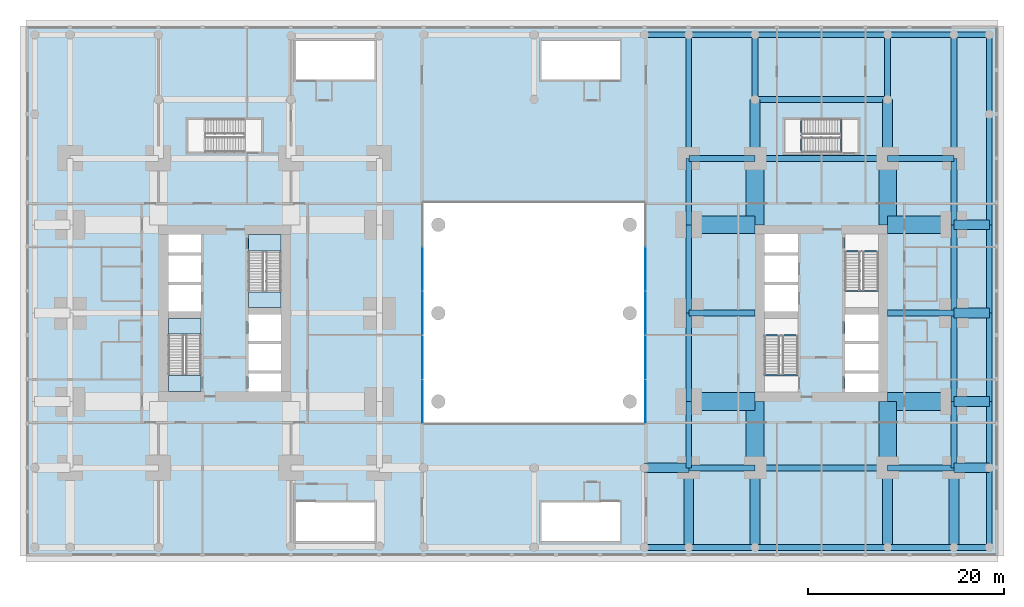
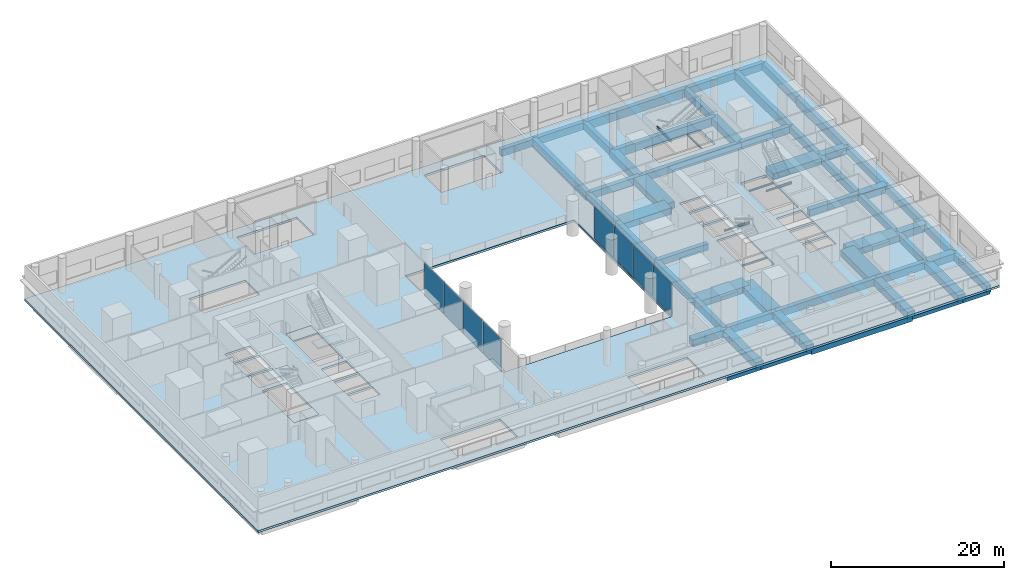
# One storey, part 7 of 20: 62 beams, 8 plates, 5 slabs, 4 elements without a shape of their own.
"""IFC4 building model written with IfcOpenShell, lengths in metres."""

from ifc_helpers import new_model, si_unit, direction, frame, origin, origin_2d, place, context, subcontext, project, spatial, polyline, rectangle, i_section, outline, extrude, material, layer, layer_set, material_profile, profile_set, type_object, element, aggregate, save


model = new_model("IFC4")

# Units and contexts
model_context = context("Model", 3, precision=1e-05, world=origin(), true_north=direction((0.0, 1.0)))
body_context = subcontext(model_context, "Body", "Model", "MODEL_VIEW")
ifc_project = project(units=[si_unit("LENGTHUNIT", "METRE"), si_unit("AREAUNIT", "SQUARE_METRE"), si_unit("VOLUMEUNIT", "CUBIC_METRE"), si_unit("PLANEANGLEUNIT", "RADIAN"), si_unit("MASSUNIT", "GRAM", prefix="KILO")], contexts=[model_context])

# Site, building, storey
site_placement = place(None, origin())
site = spatial("IfcSite", under=ifc_project, at=site_placement, CompositionType="ELEMENT")
building_placement = place(site_placement, origin())
building = spatial("IfcBuilding", under=site, at=building_placement, Name="Namib Vertical Campus", CompositionType="ELEMENT")
storey_placement = place(building_placement, frame((0.0, 0.0, 16.0)))
storey = spatial("IfcBuildingStorey", under=building, at=storey_placement, Name="L03", CompositionType="ELEMENT", Elevation=16.0)

# Beams
ifc_material_1 = material(Name="Concrete C40/50", Category="concrete")
ifc_material_profile_1 = material_profile(ifc_material_1, rectangle(XDim=0.60009765625, YDim=0.89990234375, at=origin_2d()))
ifc_profile_set_1 = profile_set([ifc_material_profile_1], Name="Concrete C40/50")
beam_type_1 = type_object("IfcBeamType", Name="Floor girder RC 600x900", PredefinedType="BEAM", material=ifc_profile_set_1)
for number, where, z_axis, x_axis, name in (
    (1, (67.5, 20.25, -0.75), (1.0, 0.0, 0.0), (0.0, 1.0, 0.0), "Beam B2 L03"),
    (2, (94.5, 20.25, -0.75), (-1.0, 0.0, 0.0), (0.0, -1.0, 0.0), "Beam B2 L03"),
):
    element("IfcBeam", number, at=place(storey_placement, frame(where, z_axis=z_axis, x_axis=x_axis)), inside=storey, type_object=beam_type_1, Name=name, PredefinedType="BEAM", context=body_context, shape_type="SweptSolid", body=[
        extrude(rectangle(XDim=0.60009765625, YDim=0.89990234375, at=origin_2d()), origin(), (0.0, 0.0, 1.0), 6.75),
    ])
ifc_material_2 = material(Name="Steel S355JR", Category="steel")
ifc_material_profile_2 = material_profile(ifc_material_2, i_section(OverallWidth=0.14599609375, OverallDepth=0.25146484375, WebThickness=0.006103515625, FlangeThickness=0.008544921875, FilletRadius=0.007568359375, at=origin_2d()))
ifc_profile_set_2 = profile_set([ifc_material_profile_2], Name="Steel S355JR")
beam_type_2 = type_object("IfcBeamType", Name="Landing trimmer UB 254x146x31", PredefinedType="BEAM", material=ifc_profile_set_2)
for number, where, z_axis, x_axis, name in (
    (3, (75.199951171875, 13.927001953125, -0.125732421875), (1.0, 0.0, 0.0), (0.0, 1.0, 0.0), "Landing trimmer LT1 B-S1 L03 1"),
    (4, (75.199951171875, 17.9931640625, 2.374267578125), (1.0, 0.0, 0.0), (0.0, 1.0, 0.0), "Landing trimmer LT1 B-S1 L03 2"),
    (5, (83.39990234375, 26.572998046875, -0.125732421875), (1.0, 0.0, 0.0), (0.0, 1.0, 0.0), "Landing trimmer LT1 B-S2 L03 1"),
    (6, (83.39990234375, 22.5068359375, 2.374267578125), (1.0, 0.0, 0.0), (0.0, 1.0, 0.0), "Landing trimmer LT1 B-S2 L03 2"),
):
    element("IfcBeam", number, at=place(storey_placement, frame(where, z_axis=z_axis, x_axis=x_axis)), inside=storey, type_object=beam_type_2, Name=name, PredefinedType="BEAM", context=body_context, shape_type="SweptSolid", body=[
        extrude(i_section(OverallWidth=0.14599609375, OverallDepth=0.25146484375, WebThickness=0.006103515625, FlangeThickness=0.008544921875, FilletRadius=0.007568359375, at=origin_2d()), origin(), (0.0, 0.0, 1.0), 3.400146484375),
    ])
for number, where, z_axis, x_axis, name in (
    (7, (83.02294921875, 36.60009765625, -0.125732421875), (0.0, 1.0, 0.0), (-1.0, 0.0, 0.0), "Landing trimmer LT1 B-S3 L03 1"),
    (8, (78.95703125, 36.60009765625, 2.374267578125), (0.0, 1.0, 0.0), (-1.0, 0.0, 0.0), "Landing trimmer LT1 B-S3 L03 2"),
):
    element("IfcBeam", number, at=place(storey_placement, frame(where, z_axis=z_axis, x_axis=x_axis)), inside=storey, type_object=beam_type_2, Name=name, PredefinedType="BEAM", context=body_context, shape_type="SweptSolid", body=[
        extrude(i_section(OverallWidth=0.14599609375, OverallDepth=0.25146484375, WebThickness=0.006103515625, FlangeThickness=0.008544921875, FilletRadius=0.007568359375, at=origin_2d()), origin(), (0.0, 0.0, 1.0), 3.39990234375),
    ])
ifc_material_3 = material(Name="Concrete C40/50", Category="concrete")
ifc_material_profile_3 = material_profile(ifc_material_3, rectangle(XDim=0.60009765625, YDim=1.199951171875, at=origin_2d()))
ifc_profile_set_3 = profile_set([ifc_material_profile_3], Name="Concrete C40/50")
beam_type_3 = type_object("IfcBeamType", Name="Long-span podium beam RC 600x1200", PredefinedType="BEAM", material=ifc_profile_set_3)
for number, where, z_axis, x_axis, name in (
    (9, (67.5, 36.0, -0.89990234375), (0.0, 1.0, 0.0), (-1.0, 0.0, 0.0), "Beam PB4 L03"),
    (10, (94.5, 36.0, -0.89990234375), (0.0, 1.0, 0.0), (-1.0, 0.0, 0.0), "Beam PB4 L03"),
):
    element("IfcBeam", number, at=place(storey_placement, frame(where, z_axis=z_axis, x_axis=x_axis)), inside=storey, type_object=beam_type_3, Name=name, PredefinedType="BEAM", context=body_context, shape_type="SweptSolid", body=[
        extrude(rectangle(XDim=0.60009765625, YDim=1.199951171875, at=origin_2d()), origin(), (0.0, 0.0, 1.0), 12.60009765625),
    ])
beam_1_placement = place(storey_placement, frame((98.10009765625, 29.25, -0.89990234375), z_axis=(0.0, 1.0, 0.0), x_axis=(-1.0, 0.0, 0.0)))
element("IfcBeam", 11, at=beam_1_placement, inside=storey, type_object=beam_type_3, Name="Beam PB4 L03", PredefinedType="BEAM", context=body_context, shape_type="SweptSolid", body=[
    extrude(rectangle(XDim=0.60009765625, YDim=1.199951171875, at=origin_2d()), origin(), (0.0, 0.0, 1.0), 11.25),
])
for number, where, z_axis, x_axis, name in (
    (12, (74.25, -3.60009765625, -0.89990234375), (1.0, 0.0, 0.0), (0.0, 1.0, 0.0), "Beam PB4 L03"),
    (13, (74.25, 42.0, -0.89990234375), (1.0, 0.0, 0.0), (0.0, 1.0, 0.0), "Beam PB4 L03"),
    (14, (74.25, 48.60009765625, -0.89990234375), (1.0, 0.0, 0.0), (0.0, 1.0, 0.0), "Beam PB4 L03"),
):
    element("IfcBeam", number, at=place(storey_placement, frame(where, z_axis=z_axis, x_axis=x_axis)), inside=storey, type_object=beam_type_3, Name=name, PredefinedType="BEAM", context=body_context, shape_type="SweptSolid", body=[
        extrude(rectangle(XDim=0.60009765625, YDim=1.199951171875, at=origin_2d()), origin(), (0.0, 0.0, 1.0), 13.5),
    ])
ifc_material_4 = material(Name="Concrete C40/50", Category="concrete")
ifc_material_profile_4 = material_profile(ifc_material_4, rectangle(XDim=1.800048828125, YDim=0.89990234375, at=origin_2d()))
ifc_profile_set_4 = profile_set([ifc_material_profile_4], Name="Concrete C40/50")
beam_type_4 = type_object("IfcBeamType", Name="Outrigger line girder RC 1800x900", PredefinedType="BEAM", material=ifc_profile_set_4)
for number, where, z_axis, x_axis, name in (
    (15, (74.25, 4.5, -0.75), (0.0, 1.0, 0.0), (-1.0, 0.0, 0.0), "Beam B12 L03"),
    (16, (74.25, 36.0, -0.75), (0.0, -1.0, 0.0), (1.0, 0.0, 0.0), "Beam B12 L03"),
    (17, (87.75, 4.5, -0.75), (0.0, 1.0, 0.0), (-1.0, 0.0, 0.0), "Beam B12 L03"),
    (18, (87.75, 36.0, -0.75), (0.0, -1.0, 0.0), (1.0, 0.0, 0.0), "Beam B12 L03"),
    (19, (67.5, 11.25, -0.75), (1.0, 0.0, 0.0), (0.0, 1.0, 0.0), "Beam B12 L03"),
    (20, (94.5, 11.25, -0.75), (-1.0, 0.0, 0.0), (0.0, -1.0, 0.0), "Beam B12 L03"),
    (21, (67.5, 29.25, -0.75), (1.0, 0.0, 0.0), (0.0, 1.0, 0.0), "Beam B12 L03"),
    (22, (94.5, 29.25, -0.75), (-1.0, 0.0, 0.0), (0.0, -1.0, 0.0), "Beam B12 L03"),
):
    element("IfcBeam", number, at=place(storey_placement, frame(where, z_axis=z_axis, x_axis=x_axis)), inside=storey, type_object=beam_type_4, Name=name, PredefinedType="BEAM", context=body_context, shape_type="SweptSolid", body=[
        extrude(rectangle(XDim=1.800048828125, YDim=0.89990234375, at=origin_2d()), origin(), (0.0, 0.0, 1.0), 6.75),
    ])
ifc_material_5 = material(Name="Concrete C40/50", Category="concrete")
ifc_material_profile_5 = material_profile(ifc_material_5, rectangle(XDim=0.60009765625, YDim=1.0, at=origin_2d()))
ifc_profile_set_5 = profile_set([ifc_material_profile_5], Name="Concrete C40/50")
beam_type_5 = type_object("IfcBeamType", Name="Podium beam RC 600x1000", PredefinedType="BEAM", material=ifc_profile_set_5)
for number, where, z_axis, x_axis, name in (
    (23, (74.25, 42.0, -0.800048828125), (0.0, 1.0, 0.0), (-1.0, 0.0, 0.0), "Beam PB1 L03"),
    (24, (87.75, 42.0, -0.800048828125), (0.0, 1.0, 0.0), (-1.0, 0.0, 0.0), "Beam PB1 L03"),
):
    element("IfcBeam", number, at=place(storey_placement, frame(where, z_axis=z_axis, x_axis=x_axis)), inside=storey, type_object=beam_type_5, Name=name, PredefinedType="BEAM", context=body_context, shape_type="SweptSolid", body=[
        extrude(rectangle(XDim=0.60009765625, YDim=1.0, at=origin_2d()), origin(), (0.0, 0.0, 1.0), 6.60009765625),
    ])
beam_2_placement = place(storey_placement, frame((98.10009765625, -3.60009765625, -0.800048828125), z_axis=(0.0, 1.0, 0.0), x_axis=(-1.0, 0.0, 0.0)))
element("IfcBeam", 25, at=beam_2_placement, inside=storey, type_object=beam_type_5, Name="Beam PB1 L03", PredefinedType="BEAM", context=body_context, shape_type="SweptSolid", body=[
    extrude(rectangle(XDim=0.60009765625, YDim=1.0, at=origin_2d()), origin(), (0.0, 0.0, 1.0), 8.10009765625),
])
beam_3_placement = place(storey_placement, frame((98.10009765625, 4.5, -0.800048828125), z_axis=(0.0, 1.0, 0.0), x_axis=(-1.0, 0.0, 0.0)))
element("IfcBeam", 26, at=beam_3_placement, inside=storey, type_object=beam_type_5, Name="Beam PB1 L03", PredefinedType="BEAM", context=body_context, shape_type="SweptSolid", body=[
    extrude(rectangle(XDim=0.60009765625, YDim=1.0, at=origin_2d()), origin(), (0.0, 0.0, 1.0), 6.75),
])
for number, where, z_axis, x_axis, name in (
    (27, (98.10009765625, 11.25, -0.800048828125), (0.0, 1.0, 0.0), (-1.0, 0.0, 0.0), "Beam PB1 L03"),
    (28, (98.10009765625, 20.25, -0.800048828125), (0.0, 1.0, 0.0), (-1.0, 0.0, 0.0), "Beam PB1 L03"),
):
    element("IfcBeam", number, at=place(storey_placement, frame(where, z_axis=z_axis, x_axis=x_axis)), inside=storey, type_object=beam_type_5, Name=name, PredefinedType="BEAM", context=body_context, shape_type="SweptSolid", body=[
        extrude(rectangle(XDim=0.60009765625, YDim=1.0, at=origin_2d()), origin(), (0.0, 0.0, 1.0), 9.0),
    ])
beam_4_placement = place(storey_placement, frame((98.10009765625, 40.5, -0.800048828125), z_axis=(0.0, 1.0, 0.0), x_axis=(-1.0, 0.0, 0.0)))
element("IfcBeam", 29, at=beam_4_placement, inside=storey, type_object=beam_type_5, Name="Beam PB1 L03", PredefinedType="BEAM", context=body_context, shape_type="SweptSolid", body=[
    extrude(rectangle(XDim=0.60009765625, YDim=1.0, at=origin_2d()), origin(), (0.0, 0.0, 1.0), 8.10009765625),
])
beam_5_placement = place(storey_placement, frame((63.0, -3.60009765625, -0.800048828125), z_axis=(1.0, 0.0, 0.0), x_axis=(0.0, 1.0, 0.0)))
element("IfcBeam", 30, at=beam_5_placement, inside=storey, type_object=beam_type_5, Name="Beam PB1 L03", PredefinedType="BEAM", context=body_context, shape_type="SweptSolid", body=[
    extrude(rectangle(XDim=0.60009765625, YDim=1.0, at=origin_2d()), origin(), (0.0, 0.0, 1.0), 4.5),
])
for number, where, z_axis, x_axis, name in (
    (31, (67.5, -3.60009765625, -0.800048828125), (1.0, 0.0, 0.0), (0.0, 1.0, 0.0), "Beam PB1 L03"),
    (32, (87.75, -3.60009765625, -0.800048828125), (1.0, 0.0, 0.0), (0.0, 1.0, 0.0), "Beam PB1 L03"),
):
    element("IfcBeam", number, at=place(storey_placement, frame(where, z_axis=z_axis, x_axis=x_axis)), inside=storey, type_object=beam_type_5, Name=name, PredefinedType="BEAM", context=body_context, shape_type="SweptSolid", body=[
        extrude(rectangle(XDim=0.60009765625, YDim=1.0, at=origin_2d()), origin(), (0.0, 0.0, 1.0), 6.75),
    ])
beam_6_placement = place(storey_placement, frame((94.5, -3.60009765625, -0.800048828125), z_axis=(1.0, 0.0, 0.0), x_axis=(0.0, 1.0, 0.0)))
element("IfcBeam", 33, at=beam_6_placement, inside=storey, type_object=beam_type_5, Name="Beam PB1 L03", PredefinedType="BEAM", context=body_context, shape_type="SweptSolid", body=[
    extrude(rectangle(XDim=0.60009765625, YDim=1.0, at=origin_2d()), origin(), (0.0, 0.0, 1.0), 3.60009765625),
])
beam_7_placement = place(storey_placement, frame((63.0, 48.60009765625, -0.800048828125), z_axis=(1.0, 0.0, 0.0), x_axis=(0.0, 1.0, 0.0)))
element("IfcBeam", 34, at=beam_7_placement, inside=storey, type_object=beam_type_5, Name="Beam PB1 L03", PredefinedType="BEAM", context=body_context, shape_type="SweptSolid", body=[
    extrude(rectangle(XDim=0.60009765625, YDim=1.0, at=origin_2d()), origin(), (0.0, 0.0, 1.0), 4.5),
])
for number, where, z_axis, x_axis, name in (
    (35, (67.5, 48.60009765625, -0.800048828125), (1.0, 0.0, 0.0), (0.0, 1.0, 0.0), "Beam PB1 L03"),
    (36, (87.75, 48.60009765625, -0.800048828125), (1.0, 0.0, 0.0), (0.0, 1.0, 0.0), "Beam PB1 L03"),
):
    element("IfcBeam", number, at=place(storey_placement, frame(where, z_axis=z_axis, x_axis=x_axis)), inside=storey, type_object=beam_type_5, Name=name, PredefinedType="BEAM", context=body_context, shape_type="SweptSolid", body=[
        extrude(rectangle(XDim=0.60009765625, YDim=1.0, at=origin_2d()), origin(), (0.0, 0.0, 1.0), 6.75),
    ])
beam_8_placement = place(storey_placement, frame((94.5, 48.60009765625, -0.800048828125), z_axis=(1.0, 0.0, 0.0), x_axis=(0.0, 1.0, 0.0)))
element("IfcBeam", 37, at=beam_8_placement, inside=storey, type_object=beam_type_5, Name="Beam PB1 L03", PredefinedType="BEAM", context=body_context, shape_type="SweptSolid", body=[
    extrude(rectangle(XDim=0.60009765625, YDim=1.0, at=origin_2d()), origin(), (0.0, 0.0, 1.0), 3.60009765625),
])
ifc_material_6 = material(Name="Concrete C40/50", Category="concrete")
ifc_material_profile_6 = material_profile(ifc_material_6, rectangle(XDim=0.60009765625, YDim=1.0, at=origin_2d()))
ifc_profile_set_6 = profile_set([ifc_material_profile_6], Name="Concrete C40/50")
beam_type_6 = type_object("IfcBeamType", Name="Podium ring beam RC 600x1000", PredefinedType="BEAM", material=ifc_profile_set_6)
beam_9_placement = place(storey_placement, frame((67.5, 4.5, -0.800048828125), z_axis=(1.0, 0.0, 0.0), x_axis=(0.0, 1.0, 0.0)))
element("IfcBeam", 38, at=beam_9_placement, inside=storey, type_object=beam_type_6, Name="Beam B6 L03", PredefinedType="BEAM", context=body_context, shape_type="SweptSolid", body=[
    extrude(rectangle(XDim=0.60009765625, YDim=1.0, at=origin_2d()), origin(), (0.0, 0.0, 1.0), 6.75),
])
beam_10_placement = place(storey_placement, frame((74.25, 4.5, -0.800048828125), z_axis=(1.0, 0.0, 0.0), x_axis=(0.0, 1.0, 0.0)))
element("IfcBeam", 39, at=beam_10_placement, inside=storey, type_object=beam_type_6, Name="Beam B6 L03", PredefinedType="BEAM", context=body_context, shape_type="SweptSolid", body=[
    extrude(rectangle(XDim=0.60009765625, YDim=1.0, at=origin_2d()), origin(), (0.0, 0.0, 1.0), 13.5),
])
for number, where, z_axis, x_axis, name in (
    (40, (87.75, 4.5, -0.800048828125), (1.0, 0.0, 0.0), (0.0, 1.0, 0.0), "Beam B6 L03"),
    (41, (67.5, 36.0, -0.800048828125), (1.0, 0.0, 0.0), (0.0, 1.0, 0.0), "Beam B6 L03"),
):
    element("IfcBeam", number, at=place(storey_placement, frame(where, z_axis=z_axis, x_axis=x_axis)), inside=storey, type_object=beam_type_6, Name=name, PredefinedType="BEAM", context=body_context, shape_type="SweptSolid", body=[
        extrude(rectangle(XDim=0.60009765625, YDim=1.0, at=origin_2d()), origin(), (0.0, 0.0, 1.0), 6.75),
    ])
beam_11_placement = place(storey_placement, frame((74.25, 36.0, -0.800048828125), z_axis=(1.0, 0.0, 0.0), x_axis=(0.0, 1.0, 0.0)))
element("IfcBeam", 42, at=beam_11_placement, inside=storey, type_object=beam_type_6, Name="Beam B6 L03", PredefinedType="BEAM", context=body_context, shape_type="SweptSolid", body=[
    extrude(rectangle(XDim=0.60009765625, YDim=1.0, at=origin_2d()), origin(), (0.0, 0.0, 1.0), 13.5),
])
for number, where, z_axis, x_axis, name in (
    (43, (87.75, 36.0, -0.800048828125), (1.0, 0.0, 0.0), (0.0, 1.0, 0.0), "Beam B6 L03"),
    (44, (67.5, 4.5, -0.800048828125), (0.0, 1.0, 0.0), (-1.0, 0.0, 0.0), "Beam B6 L03"),
):
    element("IfcBeam", number, at=place(storey_placement, frame(where, z_axis=z_axis, x_axis=x_axis)), inside=storey, type_object=beam_type_6, Name=name, PredefinedType="BEAM", context=body_context, shape_type="SweptSolid", body=[
        extrude(rectangle(XDim=0.60009765625, YDim=1.0, at=origin_2d()), origin(), (0.0, 0.0, 1.0), 6.75),
    ])
for number, where, z_axis, x_axis, name in (
    (45, (67.5, 11.25, -0.800048828125), (0.0, 1.0, 0.0), (-1.0, 0.0, 0.0), "Beam B6 L03"),
    (46, (67.5, 20.25, -0.800048828125), (0.0, 1.0, 0.0), (-1.0, 0.0, 0.0), "Beam B6 L03"),
):
    element("IfcBeam", number, at=place(storey_placement, frame(where, z_axis=z_axis, x_axis=x_axis)), inside=storey, type_object=beam_type_6, Name=name, PredefinedType="BEAM", context=body_context, shape_type="SweptSolid", body=[
        extrude(rectangle(XDim=0.60009765625, YDim=1.0, at=origin_2d()), origin(), (0.0, 0.0, 1.0), 9.0),
    ])
for number, where, z_axis, x_axis, name in (
    (47, (67.5, 29.25, -0.800048828125), (0.0, 1.0, 0.0), (-1.0, 0.0, 0.0), "Beam B6 L03"),
    (48, (94.5, 4.5, -0.800048828125), (0.0, 1.0, 0.0), (-1.0, 0.0, 0.0), "Beam B6 L03"),
):
    element("IfcBeam", number, at=place(storey_placement, frame(where, z_axis=z_axis, x_axis=x_axis)), inside=storey, type_object=beam_type_6, Name=name, PredefinedType="BEAM", context=body_context, shape_type="SweptSolid", body=[
        extrude(rectangle(XDim=0.60009765625, YDim=1.0, at=origin_2d()), origin(), (0.0, 0.0, 1.0), 6.75),
    ])
for number, where, z_axis, x_axis, name in (
    (49, (94.5, 11.25, -0.800048828125), (0.0, 1.0, 0.0), (-1.0, 0.0, 0.0), "Beam B6 L03"),
    (50, (94.5, 20.25, -0.800048828125), (0.0, 1.0, 0.0), (-1.0, 0.0, 0.0), "Beam B6 L03"),
):
    element("IfcBeam", number, at=place(storey_placement, frame(where, z_axis=z_axis, x_axis=x_axis)), inside=storey, type_object=beam_type_6, Name=name, PredefinedType="BEAM", context=body_context, shape_type="SweptSolid", body=[
        extrude(rectangle(XDim=0.60009765625, YDim=1.0, at=origin_2d()), origin(), (0.0, 0.0, 1.0), 9.0),
    ])
beam_12_placement = place(storey_placement, frame((94.5, 29.25, -0.800048828125), z_axis=(0.0, 1.0, 0.0), x_axis=(-1.0, 0.0, 0.0)))
element("IfcBeam", 51, at=beam_12_placement, inside=storey, type_object=beam_type_6, Name="Beam B6 L03", PredefinedType="BEAM", context=body_context, shape_type="SweptSolid", body=[
    extrude(rectangle(XDim=0.60009765625, YDim=1.0, at=origin_2d()), origin(), (0.0, 0.0, 1.0), 6.75),
])
ifc_material_7 = material(Name="Concrete C40/50", Category="concrete")
ifc_material_profile_7 = material_profile(ifc_material_7, rectangle(XDim=1.0, YDim=1.0, at=origin_2d()))
ifc_profile_set_7 = profile_set([ifc_material_profile_7], Name="Concrete C40/50")
beam_type_7 = type_object("IfcBeamType", Name="Podium tie beam RC 1000x1000", PredefinedType="BEAM", material=ifc_profile_set_7)
for number, where, z_axis, x_axis, name in (
    (52, (67.5, -3.60009765625, -0.800048828125), (0.0, 1.0, 0.0), (-1.0, 0.0, 0.0), "Beam PB3 L03"),
    (53, (74.25, -3.60009765625, -0.800048828125), (0.0, 1.0, 0.0), (-1.0, 0.0, 0.0), "Beam PB3 L03"),
):
    element("IfcBeam", number, at=place(storey_placement, frame(where, z_axis=z_axis, x_axis=x_axis)), inside=storey, type_object=beam_type_7, Name=name, PredefinedType="BEAM", context=body_context, shape_type="SweptSolid", body=[
        extrude(rectangle(XDim=1.0, YDim=1.0, at=origin_2d()), origin(), (0.0, 0.0, 1.0), 8.10009765625),
    ])
beam_13_placement = place(storey_placement, frame((74.25, 36.0, -0.800048828125), z_axis=(0.0, 1.0, 0.0), x_axis=(-1.0, 0.0, 0.0)))
element("IfcBeam", 54, at=beam_13_placement, inside=storey, type_object=beam_type_7, Name="Beam PB3 L03", PredefinedType="BEAM", context=body_context, shape_type="SweptSolid", body=[
    extrude(rectangle(XDim=1.0, YDim=1.0, at=origin_2d()), origin(), (0.0, 0.0, 1.0), 6.0),
])
beam_14_placement = place(storey_placement, frame((87.75, -3.60009765625, -0.800048828125), z_axis=(0.0, 1.0, 0.0), x_axis=(-1.0, 0.0, 0.0)))
element("IfcBeam", 55, at=beam_14_placement, inside=storey, type_object=beam_type_7, Name="Beam PB3 L03", PredefinedType="BEAM", context=body_context, shape_type="SweptSolid", body=[
    extrude(rectangle(XDim=1.0, YDim=1.0, at=origin_2d()), origin(), (0.0, 0.0, 1.0), 8.10009765625),
])
beam_15_placement = place(storey_placement, frame((87.75, 36.0, -0.800048828125), z_axis=(0.0, 1.0, 0.0), x_axis=(-1.0, 0.0, 0.0)))
element("IfcBeam", 56, at=beam_15_placement, inside=storey, type_object=beam_type_7, Name="Beam PB3 L03", PredefinedType="BEAM", context=body_context, shape_type="SweptSolid", body=[
    extrude(rectangle(XDim=1.0, YDim=1.0, at=origin_2d()), origin(), (0.0, 0.0, 1.0), 6.0),
])
beam_16_placement = place(storey_placement, frame((94.5, -3.60009765625, -0.800048828125), z_axis=(0.0, 1.0, 0.0), x_axis=(-1.0, 0.0, 0.0)))
element("IfcBeam", 57, at=beam_16_placement, inside=storey, type_object=beam_type_7, Name="Beam PB3 L03", PredefinedType="BEAM", context=body_context, shape_type="SweptSolid", body=[
    extrude(rectangle(XDim=1.0, YDim=1.0, at=origin_2d()), origin(), (0.0, 0.0, 1.0), 8.10009765625),
])
beam_17_placement = place(storey_placement, frame((63.0, 4.5, -0.800048828125), z_axis=(1.0, 0.0, 0.0), x_axis=(0.0, 1.0, 0.0)))
element("IfcBeam", 58, at=beam_17_placement, inside=storey, type_object=beam_type_7, Name="Beam PB3 L03", PredefinedType="BEAM", context=body_context, shape_type="SweptSolid", body=[
    extrude(rectangle(XDim=1.0, YDim=1.0, at=origin_2d()), origin(), (0.0, 0.0, 1.0), 4.5),
])
for number, where, z_axis, x_axis, name in (
    (59, (94.5, 4.5, -0.800048828125), (1.0, 0.0, 0.0), (0.0, 1.0, 0.0), "Beam PB3 L03"),
    (60, (94.5, 11.25, -0.800048828125), (1.0, 0.0, 0.0), (0.0, 1.0, 0.0), "Beam PB3 L03"),
    (61, (94.5, 20.25, -0.800048828125), (1.0, 0.0, 0.0), (0.0, 1.0, 0.0), "Beam PB3 L03"),
    (62, (94.5, 29.25, -0.800048828125), (1.0, 0.0, 0.0), (0.0, 1.0, 0.0), "Beam PB3 L03"),
):
    element("IfcBeam", number, at=place(storey_placement, frame(where, z_axis=z_axis, x_axis=x_axis)), inside=storey, type_object=beam_type_7, Name=name, PredefinedType="BEAM", context=body_context, shape_type="SweptSolid", body=[
        extrude(rectangle(XDim=1.0, YDim=1.0, at=origin_2d()), origin(), (0.0, 0.0, 1.0), 3.60009765625),
    ])

# Curtain wall, plates
ifc_material_8 = material(Name="Black aluminium curtain wall", Category="aluminium")
ifc_layer_1 = layer(ifc_material_8, 0.199951171875)
ifc_layer_set_1 = layer_set([ifc_layer_1], Name="Atrium screen curtain wall CW-AT")
curtain_wall_type = type_object("IfcCurtainWallType", Name="Atrium screen curtain wall CW-AT", PredefinedType="USERDEFINED", material=ifc_layer_set_1)
curtain_wall_1_placement = place(storey_placement, origin())
curtain_wall_1 = element("IfcCurtainWall", 63, at=curtain_wall_1_placement, inside=storey, type_object=curtain_wall_type, Name="Curtain wall CW-AT atrium A L03 1", ObjectType="CURTAIN WALL", PredefinedType="USERDEFINED")
ifc_material_9 = material(Name="Dark tinted glass", Category="glass")
ifc_layer_2 = layer(ifc_material_9, 0.028076171875)
ifc_layer_set_2 = layer_set([ifc_layer_2], Name="Dark solar glass panel 28")
plate_type = type_object("IfcPlateType", Name="Dark solar glass panel 28", PredefinedType="CURTAIN_PANEL", material=ifc_layer_set_2)
plate_1_placement = place(storey_placement, frame((40.39990234375, 11.264892578125, 0.06005859375), z_axis=(0.0, 0.0, 1.0), x_axis=(0.0, 1.0, 0.0)))
plate_1 = element("IfcPlate", 64, at=plate_1_placement, type_object=plate_type, Name="CW-AT panel 1.1", PredefinedType="CURTAIN_PANEL", context=body_context, shape_type="SweptSolid", body=[
    extrude(rectangle(XDim=4.409912109375, YDim=0.028076171875, at=origin_2d()), origin(), (0.0, 0.0, 1.0), 4.580078125),
])
plate_2_placement = place(storey_placement, frame((40.39990234375, 15.75, 0.06005859375), z_axis=(0.0, 0.0, 1.0), x_axis=(0.0, 1.0, 0.0)))
plate_2 = element("IfcPlate", 65, at=plate_2_placement, type_object=plate_type, Name="CW-AT panel 2.1", PredefinedType="CURTAIN_PANEL", context=body_context, shape_type="SweptSolid", body=[
    extrude(rectangle(XDim=4.43994140625, YDim=0.028076171875, at=origin_2d()), origin(), (0.0, 0.0, 1.0), 4.580078125),
])
plate_3_placement = place(storey_placement, frame((40.39990234375, 20.25, 0.06005859375), z_axis=(0.0, 0.0, 1.0), x_axis=(0.0, 1.0, 0.0)))
plate_3 = element("IfcPlate", 66, at=plate_3_placement, type_object=plate_type, Name="CW-AT panel 3.1", PredefinedType="CURTAIN_PANEL", context=body_context, shape_type="SweptSolid", body=[
    extrude(rectangle(XDim=4.43994140625, YDim=0.028076171875, at=origin_2d()), origin(), (0.0, 0.0, 1.0), 4.580078125),
])
plate_4_placement = place(storey_placement, frame((40.39990234375, 24.75, 0.06005859375), z_axis=(0.0, 0.0, 1.0), x_axis=(0.0, 1.0, 0.0)))
plate_4 = element("IfcPlate", 67, at=plate_4_placement, type_object=plate_type, Name="CW-AT panel 4.1", PredefinedType="CURTAIN_PANEL", context=body_context, shape_type="SweptSolid", body=[
    extrude(rectangle(XDim=4.43994140625, YDim=0.028076171875, at=origin_2d()), origin(), (0.0, 0.0, 1.0), 4.580078125),
])
aggregate(curtain_wall_1, [plate_1, plate_2, plate_3, plate_4])

curtain_wall_2_placement = place(storey_placement, origin())
curtain_wall_2 = element("IfcCurtainWall", 68, at=curtain_wall_2_placement, inside=storey, type_object=curtain_wall_type, Name="Curtain wall CW-AT atrium B L03 1", ObjectType="CURTAIN WALL", PredefinedType="USERDEFINED")
plate_5_placement = place(storey_placement, frame((63.10009765625, 11.264892578125, 0.06005859375), z_axis=(0.0, 0.0, 1.0), x_axis=(0.0, 1.0, 0.0)))
plate_5 = element("IfcPlate", 69, at=plate_5_placement, type_object=plate_type, Name="CW-AT panel 1.1", PredefinedType="CURTAIN_PANEL", context=body_context, shape_type="SweptSolid", body=[
    extrude(rectangle(XDim=4.409912109375, YDim=0.028076171875, at=origin_2d()), origin(), (0.0, 0.0, 1.0), 4.580078125),
])
plate_6_placement = place(storey_placement, frame((63.10009765625, 15.75, 0.06005859375), z_axis=(0.0, 0.0, 1.0), x_axis=(0.0, 1.0, 0.0)))
plate_6 = element("IfcPlate", 70, at=plate_6_placement, type_object=plate_type, Name="CW-AT panel 2.1", PredefinedType="CURTAIN_PANEL", context=body_context, shape_type="SweptSolid", body=[
    extrude(rectangle(XDim=4.43994140625, YDim=0.028076171875, at=origin_2d()), origin(), (0.0, 0.0, 1.0), 4.580078125),
])
plate_7_placement = place(storey_placement, frame((63.10009765625, 20.25, 0.06005859375), z_axis=(0.0, 0.0, 1.0), x_axis=(0.0, 1.0, 0.0)))
plate_7 = element("IfcPlate", 71, at=plate_7_placement, type_object=plate_type, Name="CW-AT panel 3.1", PredefinedType="CURTAIN_PANEL", context=body_context, shape_type="SweptSolid", body=[
    extrude(rectangle(XDim=4.43994140625, YDim=0.028076171875, at=origin_2d()), origin(), (0.0, 0.0, 1.0), 4.580078125),
])
plate_8_placement = place(storey_placement, frame((63.10009765625, 24.75, 0.06005859375), z_axis=(0.0, 0.0, 1.0), x_axis=(0.0, 1.0, 0.0)))
plate_8 = element("IfcPlate", 72, at=plate_8_placement, type_object=plate_type, Name="CW-AT panel 4.1", PredefinedType="CURTAIN_PANEL", context=body_context, shape_type="SweptSolid", body=[
    extrude(rectangle(XDim=4.43994140625, YDim=0.028076171875, at=origin_2d()), origin(), (0.0, 0.0, 1.0), 4.580078125),
])
aggregate(curtain_wall_2, [plate_5, plate_6, plate_7, plate_8])

# Slab
ifc_material_10 = material(Name="Concrete C40/50", Category="concrete")
ifc_layer_3 = layer(ifc_material_10, 0.300048828125)
ifc_layer_set_3 = layer_set([ifc_layer_3], Name="Concrete C40/50")
slab_type_1 = type_object("IfcSlabType", Name="Floor slab 300", PredefinedType="FLOOR", material=ifc_layer_set_3)
slab_1_placement = place(storey_placement, frame((0.0, 0.0, -0.300048828125)))
element("IfcSlab", 73, at=slab_1_placement, inside=storey, type_object=slab_type_1, Name="Floor slab L03", PredefinedType="FLOOR", context=body_context, shape_type="SweptSolid", body=[
    extrude(outline(polyline([(0.0, -4.5), (99.0, -4.5), (99.0, 49.5), (0.0, 49.5), (0.0, -4.5)]), holes=[polyline([(86.800048828125, 20.800048828125), (83.39990234375, 20.800048828125), (83.39990234375, 28.300048828125), (86.800048828125, 28.300048828125), (86.800048828125, 20.800048828125)]), polyline([(86.800048828125, 17.39990234375), (83.39990234375, 17.39990234375), (83.39990234375, 20.10009765625), (86.800048828125, 20.10009765625), (86.800048828125, 17.39990234375)]), polyline([(86.800048828125, 17.10009765625), (86.800048828125, 14.39990234375), (83.39990234375, 14.39990234375), (83.39990234375, 17.10009765625), (86.800048828125, 17.10009765625)]), polyline([(86.800048828125, 12.199951171875), (83.39990234375, 12.199951171875), (83.39990234375, 14.10009765625), (86.800048828125, 14.10009765625), (86.800048828125, 12.199951171875)]), polyline([(84.75, 36.60009765625), (77.25, 36.60009765625), (77.25, 40.0), (84.75, 40.0), (84.75, 36.60009765625)]), polyline([(78.60009765625, 28.300048828125), (78.60009765625, 26.39990234375), (75.199951171875, 26.39990234375), (75.199951171875, 28.300048828125), (78.60009765625, 28.300048828125)]), polyline([(78.60009765625, 23.39990234375), (75.199951171875, 23.39990234375), (75.199951171875, 26.10009765625), (78.60009765625, 26.10009765625), (78.60009765625, 23.39990234375)]), polyline([(78.60009765625, 23.10009765625), (78.60009765625, 20.39990234375), (75.199951171875, 20.39990234375), (75.199951171875, 23.10009765625), (78.60009765625, 23.10009765625)]), polyline([(78.60009765625, 12.199951171875), (75.199951171875, 12.199951171875), (75.199951171875, 19.699951171875), (78.60009765625, 19.699951171875), (78.60009765625, 12.199951171875)]), polyline([(63.0, 31.5), (63.0, 9.0), (40.5, 9.0), (40.5, 31.5), (63.0, 31.5)]), polyline([(60.5, -3.0), (52.5, -3.0), (52.5, 1.0), (60.5, 1.0), (60.5, -3.0)]), polyline([(60.5, 44.0), (52.5, 44.0), (52.5, 48.0), (60.5, 48.0), (60.5, 44.0)]), polyline([(35.5, 48.0), (35.5, 44.0), (27.5, 44.0), (27.5, 48.0), (35.5, 48.0)]), polyline([(35.5, 1.0), (35.5, -3.0), (27.5, -3.0), (27.5, 1.0), (35.5, 1.0)]), polyline([(26.0, 20.800048828125), (22.64990234375, 20.800048828125), (22.64990234375, 28.25), (26.0, 28.25), (26.0, 20.800048828125)]), polyline([(26.0, 17.39990234375), (22.64990234375, 17.39990234375), (22.64990234375, 20.10009765625), (26.0, 20.10009765625), (26.0, 17.39990234375)]), polyline([(26.0, 17.10009765625), (26.0, 14.39990234375), (22.64990234375, 14.39990234375), (22.64990234375, 17.10009765625), (26.0, 17.10009765625)]), polyline([(26.0, 14.10009765625), (26.0, 12.25), (22.64990234375, 12.25), (22.64990234375, 14.10009765625), (26.0, 14.10009765625)]), polyline([(24.0, 36.64990234375), (16.5, 36.64990234375), (16.5, 40.0), (24.0, 40.0), (24.0, 36.64990234375)]), polyline([(17.85009765625, 26.39990234375), (14.5, 26.39990234375), (14.5, 28.25), (17.85009765625, 28.25), (17.85009765625, 26.39990234375)]), polyline([(17.85009765625, 26.10009765625), (17.85009765625, 23.39990234375), (14.5, 23.39990234375), (14.5, 26.10009765625), (17.85009765625, 26.10009765625)]), polyline([(17.85009765625, 20.39990234375), (14.5, 20.39990234375), (14.5, 23.10009765625), (17.85009765625, 23.10009765625), (17.85009765625, 20.39990234375)]), polyline([(17.85009765625, 12.25), (14.5, 12.25), (14.5, 19.699951171875), (17.85009765625, 19.699951171875), (17.85009765625, 12.25)])]), origin(), (0.0, 0.0, 1.0), 0.300048828125),
])

# Stair, slabs
ifc_material_11 = material(Name="Concrete C40/50 precast", Category="concrete")
stair_type = type_object("IfcStairType", Name="Exit stair 5000 rise 30 risers 3350 wide", PredefinedType="HALF_TURN_STAIR", material=ifc_material_11)
stair_1_placement = place(storey_placement, origin())
stair_1 = element("IfcStair", 74, at=stair_1_placement, inside=storey, type_object=stair_type, Name="Exit stair A-S1 L03", PredefinedType="HALF_TURN_STAIR")
ifc_material_12 = material(Name="Concrete C40/50", Category="concrete")
ifc_layer_4 = layer(ifc_material_12, 0.199951171875)
ifc_layer_set_4 = layer_set([ifc_layer_4], Name="Concrete C40/50")
slab_type_2 = type_object("IfcSlabType", Name="Stair landing 200", PredefinedType="LANDING", material=ifc_layer_set_4)
slab_2_placement = place(storey_placement, frame((0.0, 0.0, -0.199951171875)))
slab_2 = element("IfcSlab", 75, at=slab_2_placement, type_object=slab_type_2, Name="A-S1 landing 1", PredefinedType="LANDING", context=body_context, shape_type="SweptSolid", body=[
    extrude(outline(polyline([(14.5, 12.25), (17.85009765625, 12.25), (17.85009765625, 13.90380859375), (14.5, 13.90380859375), (14.5, 12.25)])), origin(), (0.0, 0.0, 1.0), 0.199951171875),
])
slab_3_placement = place(storey_placement, frame((0.0, 0.0, 2.300048828125)))
slab_3 = element("IfcSlab", 76, at=slab_3_placement, type_object=slab_type_2, Name="A-S1 landing 2", PredefinedType="LANDING", context=body_context, shape_type="SweptSolid", body=[
    extrude(outline(polyline([(14.5, 18.1162109375), (17.85009765625, 18.1162109375), (17.85009765625, 19.699951171875), (14.5, 19.699951171875), (14.5, 18.1162109375)])), origin(), (0.0, 0.0, 1.0), 0.199951171875),
])
aggregate(stair_1, [slab_2, slab_3])

stair_2_placement = place(storey_placement, origin())
stair_2 = element("IfcStair", 77, at=stair_2_placement, inside=storey, type_object=stair_type, Name="Exit stair A-S2 L03", PredefinedType="HALF_TURN_STAIR")
slab_4_placement = place(storey_placement, frame((0.0, 0.0, -0.199951171875)))
slab_4 = element("IfcSlab", 78, at=slab_4_placement, type_object=slab_type_2, Name="A-S2 landing 1", PredefinedType="LANDING", context=body_context, shape_type="SweptSolid", body=[
    extrude(outline(polyline([(22.64990234375, 26.59619140625), (26.0, 26.59619140625), (26.0, 28.25), (22.64990234375, 28.25), (22.64990234375, 26.59619140625)])), origin(), (0.0, 0.0, 1.0), 0.199951171875),
])
slab_5_placement = place(storey_placement, frame((0.0, 0.0, 2.300048828125)))
slab_5 = element("IfcSlab", 79, at=slab_5_placement, type_object=slab_type_2, Name="A-S2 landing 2", PredefinedType="LANDING", context=body_context, shape_type="SweptSolid", body=[
    extrude(outline(polyline([(22.64990234375, 20.800048828125), (26.0, 20.800048828125), (26.0, 22.3837890625), (22.64990234375, 22.3837890625), (22.64990234375, 20.800048828125)])), origin(), (0.0, 0.0, 1.0), 0.199951171875),
])
aggregate(stair_2, [slab_4, slab_5])

save(model, "model.ifc")
